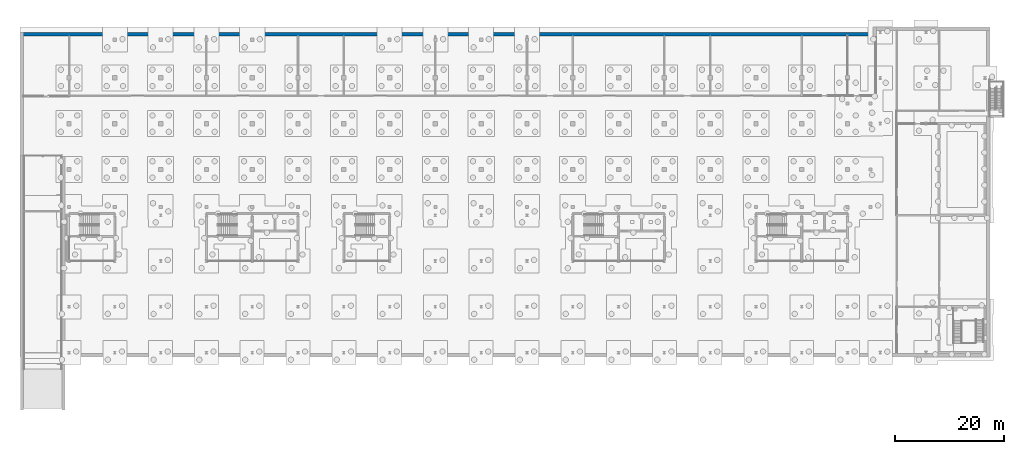
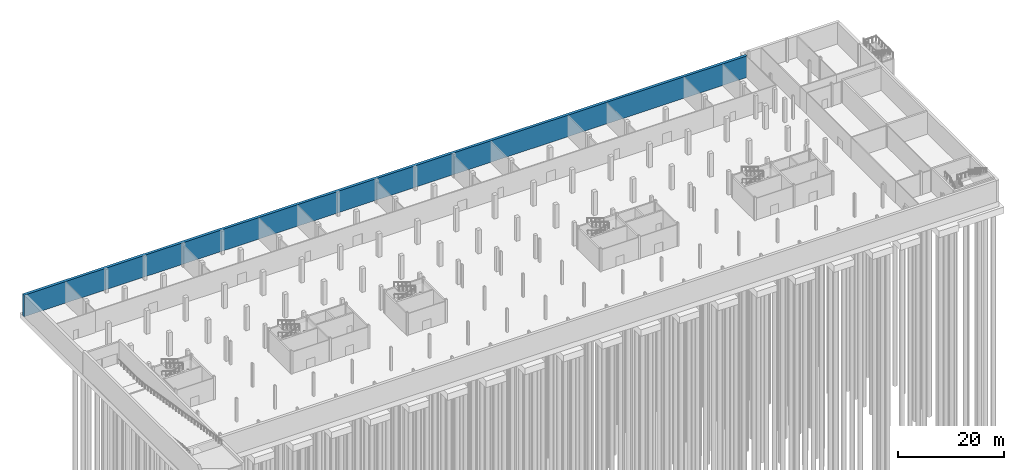
# One storey, part 19 of 29: 1 wall.
"""IFC4 building model written with IfcOpenShell, lengths in metres."""

from ifc_helpers import new_model, si_unit, direction, frame, frame_2d, origin, place, context, subcontext, project, spatial, rectangle, extrude, material, layer, layer_set, type_object, element, save


model = new_model("IFC4")

# Units and contexts
model_context = context("Model", 3, precision=1e-05, world=origin(), true_north=direction((0.0, 1.0)))
body_context = subcontext(model_context, "Body", "Model", "MODEL_VIEW")
ifc_project = project(units=[si_unit("LENGTHUNIT", "METRE"), si_unit("AREAUNIT", "SQUARE_METRE"), si_unit("VOLUMEUNIT", "CUBIC_METRE"), si_unit("PLANEANGLEUNIT", "RADIAN"), si_unit("MASSUNIT", "GRAM", prefix="KILO")], contexts=[model_context])

# Site, building, storey
site_placement = place(None, origin())
site = spatial("IfcSite", under=ifc_project, at=site_placement, CompositionType="ELEMENT")
building_placement = place(site_placement, origin())
building = spatial("IfcBuilding", under=site, at=building_placement, Name="Cresset Court Congress Hotel", CompositionType="ELEMENT")
storey_placement = place(building_placement, frame((0.0, 0.0, -5.39990234375)))
storey = spatial("IfcBuildingStorey", under=building, at=storey_placement, Name="B1", CompositionType="ELEMENT", Elevation=-5.39990234375)

# Wall
ifc_material = material(Name="Concrete C40", Category="concrete")
ifc_layer = layer(ifc_material, 0.60009765625)
ifc_layer_set = layer_set([ifc_layer], Name="Basement wall 600")
wall_type = type_object("IfcWallType", Name="Basement wall 600", PredefinedType="SOLIDWALL", material=ifc_layer_set)
wall_placement = place(storey_placement, frame((156.5, 58.39990234375, 0.0), z_axis=(0.0, 0.0, 1.0), x_axis=(-1.0, 0.0, 0.0)))
element("IfcWall", 1, at=wall_placement, inside=storey, type_object=wall_type, Name="S.wall.B1.NW", PredefinedType="SOLIDWALL", context=body_context, shape_type="SweptSolid", body=[
    extrude(rectangle(XDim=157.10009765625, YDim=0.60009765625, at=frame_2d((78.550048828125, 0.0))), origin(), (0.0, 0.0, 1.0), 4.949951171875),
])

save(model, "model.ifc")
